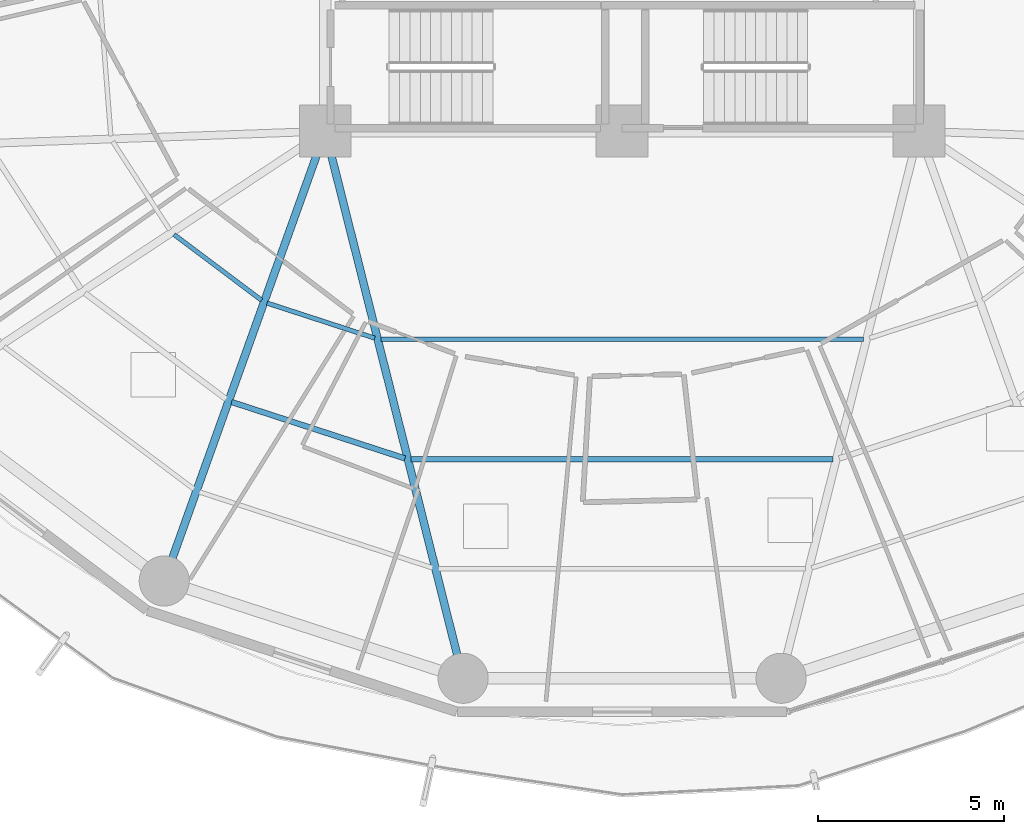
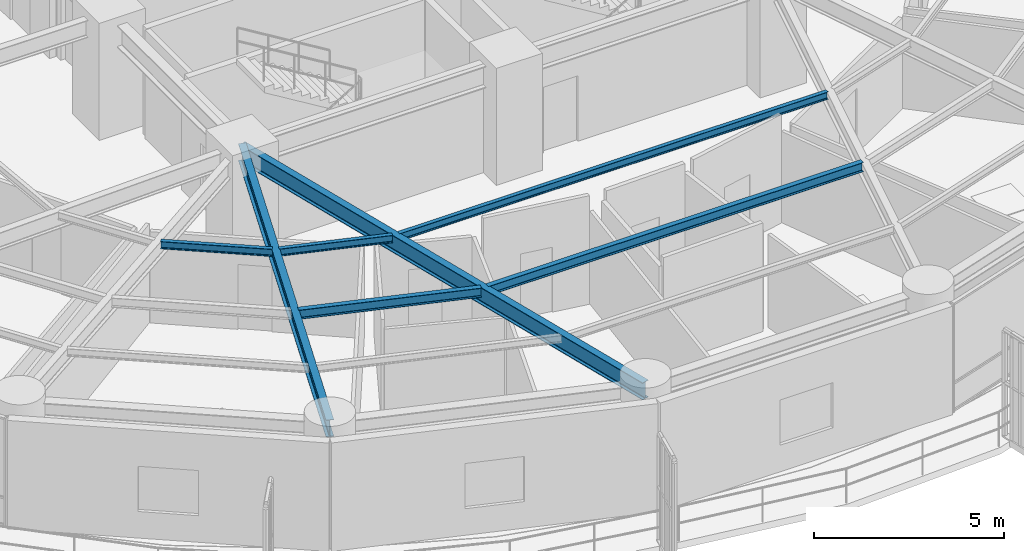
# One storey, part 5 of 35: 7 beams.
"""IFC4 building model written with IfcOpenShell, lengths in metres."""

from ifc_helpers import new_model, si_unit, direction, frame, origin, origin_2d, place, context, subcontext, project, spatial, i_section, extrude, material, material_profile, profile_set, type_object, element, save


model = new_model("IFC4")

# Units and contexts
model_context = context("Model", 3, precision=1e-05, world=origin(), true_north=direction((0.0, 1.0)))
body_context = subcontext(model_context, "Body", "Model", "MODEL_VIEW")
ifc_project = project(units=[si_unit("LENGTHUNIT", "METRE"), si_unit("AREAUNIT", "SQUARE_METRE"), si_unit("VOLUMEUNIT", "CUBIC_METRE"), si_unit("PLANEANGLEUNIT", "RADIAN"), si_unit("MASSUNIT", "GRAM", prefix="KILO")], contexts=[model_context])

# Site, building, storey
site_placement = place(None, origin())
site = spatial("IfcSite", under=ifc_project, at=site_placement, CompositionType="ELEMENT")
building_placement = place(site_placement, origin())
building = spatial("IfcBuilding", under=site, at=building_placement, Name="Kelanora Arch Commons", CompositionType="ELEMENT")
storey_placement = place(building_placement, frame((0.0, 0.0, 87.60009765625)))
storey = spatial("IfcBuildingStorey", under=building, at=storey_placement, Name="L22", CompositionType="ELEMENT", Elevation=87.60009765625)

# Beams
ifc_material = material(Name="Steel S355", Category="steel")
ifc_material_profile_1 = material_profile(ifc_material, i_section(OverallWidth=0.14990234375, OverallDepth=0.300048828125, WebThickness=0.007080078125, FlangeThickness=0.0107421875, FilletRadius=0.014892578125, at=origin_2d()), Name="IPE300")
ifc_profile_set_1 = profile_set([ifc_material_profile_1], Name="Steel S355")
beam_type_1 = type_object("IfcBeamType", Name="BM-JST-01", PredefinedType="JOIST", material=ifc_profile_set_1)
beam_1_placement = place(storey_placement, frame((63.476806640625, 43.70068359375, 3.33984375), z_axis=(0.950857140254, -0.309629938521, 0.0), x_axis=(0.309629938521, 0.950857140254, 0.0)))
element("IfcBeam", 1, at=beam_1_placement, inside=storey, type_object=beam_type_1, Name="Secondary Chord Joist BJB-24 L22", PredefinedType="JOIST", context=body_context, shape_type="SweptSolid", body=[
    extrude(i_section(OverallWidth=0.14990234375, OverallDepth=0.300048828125, WebThickness=0.007080078125, FlangeThickness=0.0107421875, FilletRadius=0.014892578125, at=origin_2d()), origin(), (0.0, 0.0, 1.0), 4.912353515625),
])
beam_2_placement = place(storey_placement, frame((68.313720703125, 42.1533203125, 3.33984375), z_axis=(1.0, 0.0, 0.0), x_axis=(0.0, 1.0, 0.0)))
element("IfcBeam", 2, at=beam_2_placement, inside=storey, type_object=beam_type_1, Name="Secondary Chord Joist BJB-26 L22", PredefinedType="JOIST", context=body_context, shape_type="SweptSolid", body=[
    extrude(i_section(OverallWidth=0.14990234375, OverallDepth=0.300048828125, WebThickness=0.007080078125, FlangeThickness=0.0107421875, FilletRadius=0.014892578125, at=origin_2d()), origin(), (0.0, 0.0, 1.0), 11.37255859375),
])
ifc_material_profile_2 = material_profile(ifc_material, i_section(OverallWidth=0.1201171875, OverallDepth=0.239990234375, WebThickness=0.006103515625, FlangeThickness=0.009765625, FilletRadius=0.014892578125, at=origin_2d()), Name="IPE240")
ifc_profile_set_2 = profile_set([ifc_material_profile_2], Name="Steel S355")
beam_type_2 = type_object("IfcBeamType", Name="BM-JST-02", PredefinedType="JOIST", material=ifc_profile_set_2)
beam_3_placement = place(storey_placement, frame((61.923583984375, 48.2158203125, 3.369873046875), z_axis=(0.799692034361, -0.600410401458, 0.0), x_axis=(0.600410401458, 0.799692034361, 0.0)))
element("IfcBeam", 3, at=beam_3_placement, inside=storey, type_object=beam_type_2, Name="Secondary Chord Joist BJA-22 L22", PredefinedType="JOIST", context=body_context, shape_type="SweptSolid", body=[
    extrude(i_section(OverallWidth=0.1201171875, OverallDepth=0.239990234375, WebThickness=0.006103515625, FlangeThickness=0.009765625, FilletRadius=0.014892578125, at=origin_2d()), origin(), (0.0, 0.0, 1.0), 2.949951171875),
])
beam_4_placement = place(storey_placement, frame((64.431640625, 46.367431640625, 3.369873046875), z_axis=(0.950846758946, -0.309661817151, 0.0), x_axis=(0.309661817151, 0.950846758946, 0.0)))
element("IfcBeam", 4, at=beam_4_placement, inside=storey, type_object=beam_type_2, Name="Secondary Chord Joist BJA-24 L22", PredefinedType="JOIST", context=body_context, shape_type="SweptSolid", body=[
    extrude(i_section(OverallWidth=0.1201171875, OverallDepth=0.239990234375, WebThickness=0.006103515625, FlangeThickness=0.009765625, FilletRadius=0.014892578125, at=origin_2d()), origin(), (0.0, 0.0, 1.0), 3.048828125),
])
beam_5_placement = place(storey_placement, frame((67.49658203125, 45.397216796875, 3.369873046875), z_axis=(1.0, 0.0, 0.0), x_axis=(0.0, 1.0, 0.0)))
element("IfcBeam", 5, at=beam_5_placement, inside=storey, type_object=beam_type_2, Name="Secondary Chord Joist BJA-26 L22", PredefinedType="JOIST", context=body_context, shape_type="SweptSolid", body=[
    extrude(i_section(OverallWidth=0.1201171875, OverallDepth=0.239990234375, WebThickness=0.006103515625, FlangeThickness=0.009765625, FilletRadius=0.014892578125, at=origin_2d()), origin(), (0.0, 0.0, 1.0), 13.0068359375),
])
ifc_material_profile_3 = material_profile(ifc_material, i_section(OverallWidth=0.2099609375, OverallDepth=0.550048828125, WebThickness=0.010986328125, FlangeThickness=0.01708984375, FilletRadius=0.02392578125, at=origin_2d()), Name="IPE550")
ifc_profile_set_3 = profile_set([ifc_material_profile_3], Name="Steel S355")
beam_type_3 = type_object("IfcBeamType", Name="BM-RAD-Z2", PredefinedType="BEAM", material=ifc_profile_set_3)
beam_6_placement = place(storey_placement, frame((66.0, 51.0, 3.21484375), z_axis=(-0.337084640008, -0.941474346687, 0.0), x_axis=(0.941474346687, -0.337084640008, 0.0)))
element("IfcBeam", 6, at=beam_6_placement, inside=storey, type_object=beam_type_3, Name="Radial Floor Girder BR-24 L22", PredefinedType="BEAM", context=body_context, shape_type="SweptSolid", body=[
    extrude(i_section(OverallWidth=0.2099609375, OverallDepth=0.550048828125, WebThickness=0.010986328125, FlangeThickness=0.01708984375, FilletRadius=0.02392578125, at=origin_2d()), origin(), (0.0, 0.0, 1.0), 12.875244140625),
])
beam_7_placement = place(storey_placement, frame((66.0, 51.0, 3.21484375), z_axis=(0.244280647475, -0.969704576286, 0.0), x_axis=(0.969704576286, 0.244280647475, 0.0)))
element("IfcBeam", 7, at=beam_7_placement, inside=storey, type_object=beam_type_3, Name="Radial Floor Girder BR-26 L22", PredefinedType="BEAM", context=body_context, shape_type="SweptSolid", body=[
    extrude(i_section(OverallWidth=0.2099609375, OverallDepth=0.550048828125, WebThickness=0.010986328125, FlangeThickness=0.01708984375, FilletRadius=0.02392578125, at=origin_2d()), origin(), (0.0, 0.0, 1.0), 15.205322265625),
])

save(model, "model.ifc")
